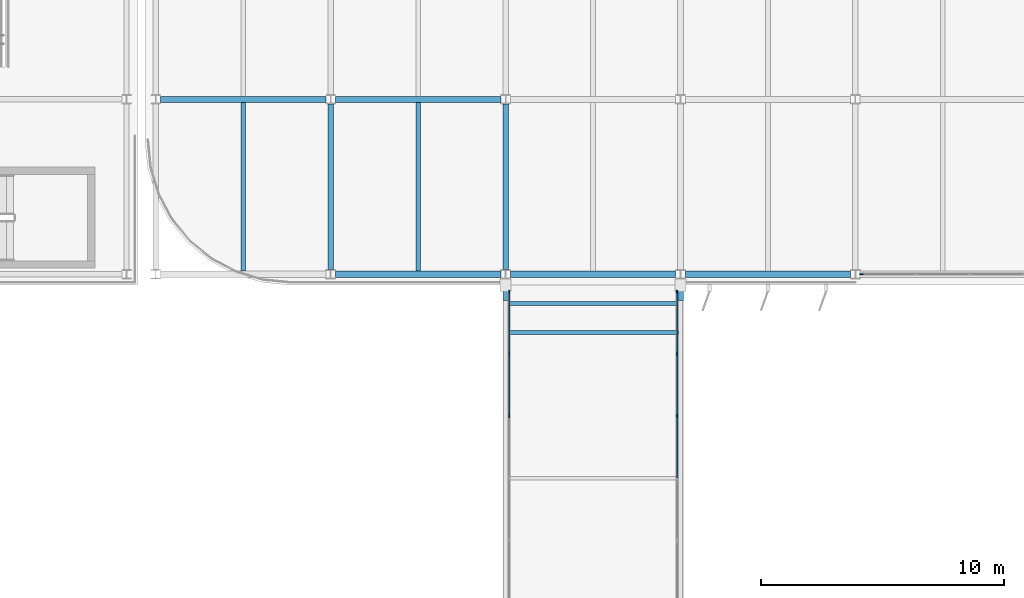
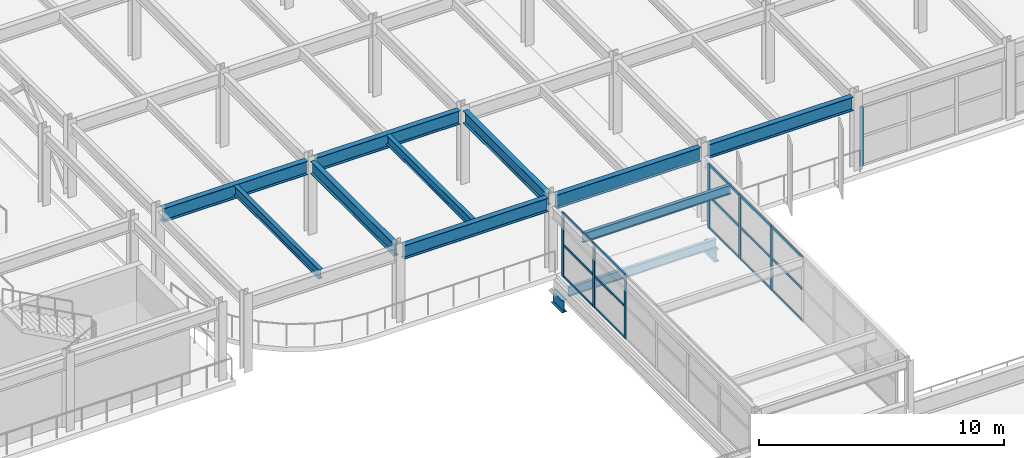
# One storey, part 23 of 93: 22 members, 13 beams, 3 elements without a shape of their own.
"""IFC4 building model written with IfcOpenShell, lengths in metres."""

from ifc_helpers import new_model, si_unit, direction, frame, origin, origin_2d, place, context, subcontext, project, spatial, rectangle, i_section, extrude, material, material_profile, profile_set, type_object, element, aggregate, save


model = new_model("IFC4")

# Units and contexts
model_context = context("Model", 3, precision=1e-05, world=origin(), true_north=direction((0.0, 1.0)))
body_context = subcontext(model_context, "Body", "Model", "MODEL_VIEW")
ifc_project = project(units=[si_unit("LENGTHUNIT", "METRE"), si_unit("AREAUNIT", "SQUARE_METRE"), si_unit("VOLUMEUNIT", "CUBIC_METRE"), si_unit("PLANEANGLEUNIT", "RADIAN"), si_unit("MASSUNIT", "GRAM", prefix="KILO")], contexts=[model_context])

# Site, building, storey
site_placement = place(None, origin())
site = spatial("IfcSite", under=ifc_project, at=site_placement, CompositionType="ELEMENT")
building_placement = place(site_placement, origin())
building = spatial("IfcBuilding", under=site, at=building_placement, Name="Vaelcorin Mobility Hub", CompositionType="ELEMENT")
storey_placement = place(building_placement, frame((0.0, 0.0, 5.39990234375)))
storey = spatial("IfcBuildingStorey", under=building, at=storey_placement, Name="L01", CompositionType="ELEMENT", Elevation=5.39990234375)

# Beams
ifc_material_1 = material(Name="Steel ASTM A992 Grade 50", Category="steel")
ifc_material_profile_1 = material_profile(ifc_material_1, i_section(OverallWidth=0.152099609375, OverallDepth=0.455078125, WebThickness=0.008056640625, FlangeThickness=0.01318359375, FilletRadius=0.012939453125, at=origin_2d()), Name="W18X40")
ifc_profile_set_1 = profile_set([ifc_material_profile_1], Name="Steel ASTM A992 Grade 50")
beam_type_1 = type_object("IfcBeamType", Name="BM-W18X40", PredefinedType="JOIST", material=ifc_profile_set_1)
beam_1_placement = place(storey_placement, frame((50.511962890625, 75.60009765625, -0.447998046875), z_axis=(1.0, 0.0, 0.0), x_axis=(0.0, 1.0, 0.0)))
element("IfcBeam", 1, at=beam_1_placement, inside=storey, type_object=beam_type_1, Name="Link Bridge Floor Cross Beam LB1-BX-3", PredefinedType="JOIST", context=body_context, shape_type="SweptSolid", body=[
    extrude(i_section(OverallWidth=0.152099609375, OverallDepth=0.455078125, WebThickness=0.008056640625, FlangeThickness=0.01318359375, FilletRadius=0.012939453125, at=origin_2d()), origin(), (0.0, 0.0, 1.0), 6.97607421875),
])
beam_2_placement = place(storey_placement, frame((50.48095703125, 74.39990234375, 2.97216796875), z_axis=(1.0, 0.0, 0.0), x_axis=(0.0, 1.0, 0.0)))
element("IfcBeam", 2, at=beam_2_placement, inside=storey, type_object=beam_type_1, Name="L01 Beam LB1-RFX-3", PredefinedType="JOIST", context=body_context, shape_type="SweptSolid", body=[
    extrude(i_section(OverallWidth=0.152099609375, OverallDepth=0.455078125, WebThickness=0.008056640625, FlangeThickness=0.01318359375, FilletRadius=0.012939453125, at=origin_2d()), origin(), (0.0, 0.0, 1.0), 7.0380859375),
])
ifc_material_profile_2 = material_profile(ifc_material_1, i_section(OverallWidth=0.19189453125, OverallDepth=0.4619140625, WebThickness=0.010498046875, FlangeThickness=0.017578125, FilletRadius=0.012939453125, at=origin_2d()), Name="W18X60")
ifc_profile_set_2 = profile_set([ifc_material_profile_2], Name="Steel ASTM A992 Grade 50")
beam_type_2 = type_object("IfcBeamType", Name="BM-W18X60", PredefinedType="JOIST", material=ifc_profile_set_2)
for number, where, z_axis, x_axis, name in (
    (3, (39.60009765625, 76.925048828125, 3.439208984375), (0.0, 1.0, 0.0), (-1.0, 0.0, 0.0), "L01 Beam V4-L01-J-01-01-1"),
    (4, (46.800048828125, 76.925048828125, 3.439208984375), (0.0, 1.0, 0.0), (-1.0, 0.0, 0.0), "L01 Beam V4-L01-J-02-01-1"),
):
    element("IfcBeam", number, at=place(storey_placement, frame(where, z_axis=z_axis, x_axis=x_axis)), inside=storey, type_object=beam_type_2, Name=name, PredefinedType="JOIST", context=body_context, shape_type="SweptSolid", body=[
        extrude(i_section(OverallWidth=0.19189453125, OverallDepth=0.4619140625, WebThickness=0.010498046875, FlangeThickness=0.017578125, FilletRadius=0.012939453125, at=origin_2d()), origin(), (0.0, 0.0, 1.0), 6.949951171875),
    ])
ifc_material_profile_3 = material_profile(ifc_material_1, i_section(OverallWidth=0.22900390625, OverallDepth=0.612060546875, WebThickness=0.011962890625, FlangeThickness=0.01953125, FilletRadius=0.014892578125, at=origin_2d()), Name="W24X84")
ifc_profile_set_3 = profile_set([ifc_material_profile_3], Name="Steel ASTM A992 Grade 50")
beam_type_3 = type_object("IfcBeamType", Name="BM-W24X84", PredefinedType="BEAM", material=ifc_profile_set_3)
for number, where, z_axis, x_axis, name in (
    (5, (43.199951171875, 76.988037109375, 3.364013671875), (0.0, 1.0, 0.0), (-1.0, 0.0, 0.0), "L01 Beam V4-L01-GY-02-01"),
    (6, (50.39990234375, 76.988037109375, 3.364013671875), (0.0, 1.0, 0.0), (-1.0, 0.0, 0.0), "L01 Beam V4-L01-GY-03-01"),
):
    element("IfcBeam", number, at=place(storey_placement, frame(where, z_axis=z_axis, x_axis=x_axis)), inside=storey, type_object=beam_type_3, Name=name, PredefinedType="BEAM", context=body_context, shape_type="SweptSolid", body=[
        extrude(i_section(OverallWidth=0.22900390625, OverallDepth=0.612060546875, WebThickness=0.011962890625, FlangeThickness=0.01953125, FilletRadius=0.014892578125, at=origin_2d()), origin(), (0.0, 0.0, 1.0), 6.81689453125),
    ])
for number, where, z_axis, x_axis, name in (
    (7, (50.39990234375, 76.610107421875, -1.218017578125), (0.0, -1.0, 0.0), (1.0, 0.0, 0.0), "Link Bridge 900mm Bearing Seat Corbel LB1-W"),
    (8, (57.60009765625, 76.610107421875, -1.218017578125), (0.0, -1.0, 0.0), (1.0, 0.0, 0.0), "Link Bridge 900mm Bearing Seat Corbel LB1-E"),
):
    element("IfcBeam", number, at=place(storey_placement, frame(where, z_axis=z_axis, x_axis=x_axis)), inside=storey, type_object=beam_type_3, Name=name, PredefinedType="BEAM", context=body_context, shape_type="SweptSolid", body=[
        extrude(i_section(OverallWidth=0.22900390625, OverallDepth=0.612060546875, WebThickness=0.011962890625, FlangeThickness=0.01953125, FilletRadius=0.014892578125, at=origin_2d()), origin(), (0.0, 0.0, 1.0), 0.900146484375),
    ])
ifc_material_profile_4 = material_profile(ifc_material_1, i_section(OverallWidth=0.25390625, OverallDepth=0.68310546875, WebThickness=0.012451171875, FlangeThickness=0.018798828125, FilletRadius=0.01611328125, at=origin_2d()), Name="W27X94")
ifc_profile_set_4 = profile_set([ifc_material_profile_4], Name="Steel ASTM A992 Grade 50")
beam_type_4 = type_object("IfcBeamType", Name="BM-W27X94", PredefinedType="BEAM", material=ifc_profile_set_4)
for number, where, z_axis, x_axis, name in (
    (9, (43.39599609375, 76.800048828125, 3.328125), (1.0, 0.0, 0.0), (0.0, 1.0, 0.0), "L01 Beam V4-L01-GX-01-02"),
    (10, (50.595947265625, 76.800048828125, 3.328125), (1.0, 0.0, 0.0), (0.0, 1.0, 0.0), "L01 Beam V4-L01-GX-01-03"),
    (11, (57.7958984375, 76.800048828125, 3.328125), (1.0, 0.0, 0.0), (0.0, 1.0, 0.0), "L01 Beam V4-L01-GX-01-04"),
):
    element("IfcBeam", number, at=place(storey_placement, frame(where, z_axis=z_axis, x_axis=x_axis)), inside=storey, type_object=beam_type_4, Name=name, PredefinedType="BEAM", context=body_context, shape_type="SweptSolid", body=[
        extrude(i_section(OverallWidth=0.25390625, OverallDepth=0.68310546875, WebThickness=0.012451171875, FlangeThickness=0.018798828125, FilletRadius=0.01611328125, at=origin_2d()), origin(), (0.0, 0.0, 1.0), 6.80810546875),
    ])
beam_3_placement = place(storey_placement, frame((36.197998046875, 84.0, 3.328125), z_axis=(1.0, 0.0, 0.0), x_axis=(0.0, 1.0, 0.0)))
element("IfcBeam", 12, at=beam_3_placement, inside=storey, type_object=beam_type_4, Name="L01 Beam V4-L01-GX-02-01", PredefinedType="BEAM", context=body_context, shape_type="SweptSolid", body=[
    extrude(i_section(OverallWidth=0.25390625, OverallDepth=0.68310546875, WebThickness=0.012451171875, FlangeThickness=0.018798828125, FilletRadius=0.01611328125, at=origin_2d()), origin(), (0.0, 0.0, 1.0), 6.804931640625),
])
beam_4_placement = place(storey_placement, frame((43.39794921875, 84.0, 3.328125), z_axis=(1.0, 0.0, 0.0), x_axis=(0.0, 1.0, 0.0)))
element("IfcBeam", 13, at=beam_4_placement, inside=storey, type_object=beam_type_4, Name="L01 Beam V4-L01-GX-02-02", PredefinedType="BEAM", context=body_context, shape_type="SweptSolid", body=[
    extrude(i_section(OverallWidth=0.25390625, OverallDepth=0.68310546875, WebThickness=0.012451171875, FlangeThickness=0.018798828125, FilletRadius=0.01611328125, at=origin_2d()), origin(), (0.0, 0.0, 1.0), 6.803955078125),
])

# Curtain wall, member
ifc_material_2 = material(Name="Anodised aluminium 6063-T6", Category="aluminium")
curtain_wall_type_1 = type_object("IfcCurtainWallType", Name="CW-MOB-A", PredefinedType="NOTDEFINED", material=ifc_material_2)
curtain_wall_1_placement = place(storey_placement, origin())
curtain_wall_1 = element("IfcCurtainWall", 14, at=curtain_wall_1_placement, inside=storey, type_object=curtain_wall_type_1, Name="L01 Curtain Wall CW-V4-L01-S-05", PredefinedType="NOTDEFINED")
ifc_material_profile_5 = material_profile(ifc_material_2, rectangle(XDim=0.06005859375, YDim=0.159912109375, at=origin_2d()), Name="ALU-M60X160")
ifc_profile_set_5 = profile_set([ifc_material_profile_5], Name="Anodised aluminium 6063-T6")
member_type_1 = type_object("IfcMemberType", Name="CW-MULL-160", PredefinedType="MULLION", material=ifc_profile_set_5)
member_1_placement = place(storey_placement, frame((65.050048828125, 76.800048828125, 0.0), z_axis=(0.0, 0.0, 1.0), x_axis=(0.0, -1.0, 0.0)))
member_1 = element("IfcMember", 15, at=member_1_placement, type_object=member_type_1, Name="CW7 mullion 4", PredefinedType="MULLION", context=body_context, shape_type="SweptSolid", body=[
    extrude(rectangle(XDim=0.06005859375, YDim=0.159912109375, at=origin_2d()), origin(), (0.0, 0.0, 1.0), 2.97216796875),
])
aggregate(curtain_wall_1, [member_1])

# Curtain wall, members
curtain_wall_type_2 = type_object("IfcCurtainWallType", Name="CW-BRG-A", PredefinedType="NOTDEFINED", material=ifc_material_2)
curtain_wall_2_placement = place(storey_placement, origin())
curtain_wall_2 = element("IfcCurtainWall", 16, at=curtain_wall_2_placement, inside=storey, type_object=curtain_wall_type_2, Name="L01 Curtain Wall CW-LB1-W", PredefinedType="NOTDEFINED")
member_2_placement = place(storey_placement, frame((50.550048828125, 70.966552734375, 0.0), z_axis=(0.0, 0.0, 1.0), x_axis=(-1.0, 0.0, 0.0)))
member_2 = element("IfcMember", 17, at=member_2_placement, type_object=member_type_1, Name="CW8 mullion 5", PredefinedType="MULLION", context=body_context, shape_type="SweptSolid", body=[
    extrude(rectangle(XDim=0.06005859375, YDim=0.159912109375, at=origin_2d()), origin(), (0.0, 0.0, 1.0), 3.2001953125),
])
member_3_placement = place(storey_placement, frame((50.550048828125, 73.533447265625, 0.0), z_axis=(0.0, 0.0, 1.0), x_axis=(-1.0, 0.0, 0.0)))
member_3 = element("IfcMember", 18, at=member_3_placement, type_object=member_type_1, Name="CW8 mullion 6", PredefinedType="MULLION", context=body_context, shape_type="SweptSolid", body=[
    extrude(rectangle(XDim=0.06005859375, YDim=0.159912109375, at=origin_2d()), origin(), (0.0, 0.0, 1.0), 3.2001953125),
])
member_4_placement = place(storey_placement, frame((50.550048828125, 76.070068359375, 0.0), z_axis=(0.0, 0.0, 1.0), x_axis=(-1.0, 0.0, 0.0)))
member_4 = element("IfcMember", 19, at=member_4_placement, type_object=member_type_1, Name="CW8 mullion 7", PredefinedType="MULLION", context=body_context, shape_type="SweptSolid", body=[
    extrude(rectangle(XDim=0.06005859375, YDim=0.159912109375, at=origin_2d()), origin(), (0.0, 0.0, 1.0), 3.2001953125),
])

curtain_wall_3_placement = place(storey_placement, origin())
curtain_wall_3 = element("IfcCurtainWall", 20, at=curtain_wall_3_placement, inside=storey, type_object=curtain_wall_type_2, Name="L01 Curtain Wall CW-LB1-E", PredefinedType="NOTDEFINED")
member_5_placement = place(storey_placement, frame((57.449951171875, 76.070068359375, 0.0), z_axis=(0.0, 0.0, 1.0), x_axis=(1.0, 0.0, 0.0)))
member_5 = element("IfcMember", 21, at=member_5_placement, type_object=member_type_1, Name="CW8 mullion 1", PredefinedType="MULLION", context=body_context, shape_type="SweptSolid", body=[
    extrude(rectangle(XDim=0.06005859375, YDim=0.159912109375, at=origin_2d()), origin(), (0.0, 0.0, 1.0), 3.2001953125),
])
member_6_placement = place(storey_placement, frame((57.449951171875, 73.533447265625, 0.0), z_axis=(0.0, 0.0, 1.0), x_axis=(1.0, 0.0, 0.0)))
member_6 = element("IfcMember", 22, at=member_6_placement, type_object=member_type_1, Name="CW8 mullion 2", PredefinedType="MULLION", context=body_context, shape_type="SweptSolid", body=[
    extrude(rectangle(XDim=0.06005859375, YDim=0.159912109375, at=origin_2d()), origin(), (0.0, 0.0, 1.0), 3.2001953125),
])
member_7_placement = place(storey_placement, frame((57.449951171875, 70.966552734375, 0.0), z_axis=(0.0, 0.0, 1.0), x_axis=(1.0, 0.0, 0.0)))
member_7 = element("IfcMember", 23, at=member_7_placement, type_object=member_type_1, Name="CW8 mullion 3", PredefinedType="MULLION", context=body_context, shape_type="SweptSolid", body=[
    extrude(rectangle(XDim=0.06005859375, YDim=0.159912109375, at=origin_2d()), origin(), (0.0, 0.0, 1.0), 3.2001953125),
])

# Member
ifc_material_profile_6 = material_profile(ifc_material_2, rectangle(XDim=0.06005859375, YDim=0.1201171875, at=origin_2d()), Name="ALU-T60X120")
ifc_profile_set_6 = profile_set([ifc_material_profile_6], Name="Anodised aluminium 6063-T6")
member_type_2 = type_object("IfcMemberType", Name="CW-TRAN-140", PredefinedType="USERDEFINED", material=ifc_profile_set_6)
member_8_placement = place(storey_placement, frame((50.550048828125, 70.99658203125, 0.030029296875), z_axis=(0.0, 1.0, 0.0), x_axis=(-1.0, 0.0, 0.0)))
member_8 = element("IfcMember", 24, at=member_8_placement, type_object=member_type_2, Name="CW8 transom 5.1", ObjectType="TRANSOM", PredefinedType="USERDEFINED", context=body_context, shape_type="SweptSolid", body=[
    extrude(rectangle(XDim=0.06005859375, YDim=0.1201171875, at=origin_2d()), origin(), (0.0, 0.0, 1.0), 2.5068359375),
])

member_9_placement = place(storey_placement, frame((50.550048828125, 70.99658203125, 1.60009765625), z_axis=(0.0, 1.0, 0.0), x_axis=(-1.0, 0.0, 0.0)))
member_9 = element("IfcMember", 25, at=member_9_placement, type_object=member_type_2, Name="CW8 transom 5.2", ObjectType="TRANSOM", PredefinedType="USERDEFINED", context=body_context, shape_type="SweptSolid", body=[
    extrude(rectangle(XDim=0.06005859375, YDim=0.1201171875, at=origin_2d()), origin(), (0.0, 0.0, 1.0), 2.5068359375),
])

member_10_placement = place(storey_placement, frame((50.550048828125, 70.99658203125, 3.170166015625), z_axis=(0.0, 1.0, 0.0), x_axis=(-1.0, 0.0, 0.0)))
member_10 = element("IfcMember", 26, at=member_10_placement, type_object=member_type_2, Name="CW8 transom 5.3", ObjectType="TRANSOM", PredefinedType="USERDEFINED", context=body_context, shape_type="SweptSolid", body=[
    extrude(rectangle(XDim=0.06005859375, YDim=0.1201171875, at=origin_2d()), origin(), (0.0, 0.0, 1.0), 2.5068359375),
])

member_11_placement = place(storey_placement, frame((50.550048828125, 73.563232421875, 0.030029296875), z_axis=(0.0, 1.0, 0.0), x_axis=(-1.0, 0.0, 0.0)))
member_11 = element("IfcMember", 27, at=member_11_placement, type_object=member_type_2, Name="CW8 transom 6.1", ObjectType="TRANSOM", PredefinedType="USERDEFINED", context=body_context, shape_type="SweptSolid", body=[
    extrude(rectangle(XDim=0.06005859375, YDim=0.1201171875, at=origin_2d()), origin(), (0.0, 0.0, 1.0), 2.476806640625),
])

member_12_placement = place(storey_placement, frame((50.550048828125, 73.563232421875, 1.60009765625), z_axis=(0.0, 1.0, 0.0), x_axis=(-1.0, 0.0, 0.0)))
member_12 = element("IfcMember", 28, at=member_12_placement, type_object=member_type_2, Name="CW8 transom 6.2", ObjectType="TRANSOM", PredefinedType="USERDEFINED", context=body_context, shape_type="SweptSolid", body=[
    extrude(rectangle(XDim=0.06005859375, YDim=0.1201171875, at=origin_2d()), origin(), (0.0, 0.0, 1.0), 2.476806640625),
])

member_13_placement = place(storey_placement, frame((50.550048828125, 73.563232421875, 3.170166015625), z_axis=(0.0, 1.0, 0.0), x_axis=(-1.0, 0.0, 0.0)))
member_13 = element("IfcMember", 29, at=member_13_placement, type_object=member_type_2, Name="CW8 transom 6.3", ObjectType="TRANSOM", PredefinedType="USERDEFINED", context=body_context, shape_type="SweptSolid", body=[
    extrude(rectangle(XDim=0.06005859375, YDim=0.1201171875, at=origin_2d()), origin(), (0.0, 0.0, 1.0), 2.476806640625),
])

aggregate(curtain_wall_2, [member_2, member_3, member_4, member_8, member_9, member_10, member_11, member_12, member_13])

member_14_placement = place(storey_placement, frame((57.449951171875, 76.0400390625, 0.030029296875), z_axis=(0.0, -1.0, 0.0), x_axis=(1.0, 0.0, 0.0)))
member_14 = element("IfcMember", 30, at=member_14_placement, type_object=member_type_2, Name="CW8 transom 1.1", ObjectType="TRANSOM", PredefinedType="USERDEFINED", context=body_context, shape_type="SweptSolid", body=[
    extrude(rectangle(XDim=0.06005859375, YDim=0.1201171875, at=origin_2d()), origin(), (0.0, 0.0, 1.0), 2.476806640625),
])

member_15_placement = place(storey_placement, frame((57.449951171875, 76.0400390625, 1.60009765625), z_axis=(0.0, -1.0, 0.0), x_axis=(1.0, 0.0, 0.0)))
member_15 = element("IfcMember", 31, at=member_15_placement, type_object=member_type_2, Name="CW8 transom 1.2", ObjectType="TRANSOM", PredefinedType="USERDEFINED", context=body_context, shape_type="SweptSolid", body=[
    extrude(rectangle(XDim=0.06005859375, YDim=0.1201171875, at=origin_2d()), origin(), (0.0, 0.0, 1.0), 2.476806640625),
])

member_16_placement = place(storey_placement, frame((57.449951171875, 76.0400390625, 3.170166015625), z_axis=(0.0, -1.0, 0.0), x_axis=(1.0, 0.0, 0.0)))
member_16 = element("IfcMember", 32, at=member_16_placement, type_object=member_type_2, Name="CW8 transom 1.3", ObjectType="TRANSOM", PredefinedType="USERDEFINED", context=body_context, shape_type="SweptSolid", body=[
    extrude(rectangle(XDim=0.06005859375, YDim=0.1201171875, at=origin_2d()), origin(), (0.0, 0.0, 1.0), 2.476806640625),
])

member_17_placement = place(storey_placement, frame((57.449951171875, 73.50341796875, 0.030029296875), z_axis=(0.0, -1.0, 0.0), x_axis=(1.0, 0.0, 0.0)))
member_17 = element("IfcMember", 33, at=member_17_placement, type_object=member_type_2, Name="CW8 transom 2.1", ObjectType="TRANSOM", PredefinedType="USERDEFINED", context=body_context, shape_type="SweptSolid", body=[
    extrude(rectangle(XDim=0.06005859375, YDim=0.1201171875, at=origin_2d()), origin(), (0.0, 0.0, 1.0), 2.5068359375),
])

member_18_placement = place(storey_placement, frame((57.449951171875, 73.50341796875, 1.60009765625), z_axis=(0.0, -1.0, 0.0), x_axis=(1.0, 0.0, 0.0)))
member_18 = element("IfcMember", 34, at=member_18_placement, type_object=member_type_2, Name="CW8 transom 2.2", ObjectType="TRANSOM", PredefinedType="USERDEFINED", context=body_context, shape_type="SweptSolid", body=[
    extrude(rectangle(XDim=0.06005859375, YDim=0.1201171875, at=origin_2d()), origin(), (0.0, 0.0, 1.0), 2.5068359375),
])

member_19_placement = place(storey_placement, frame((57.449951171875, 73.50341796875, 3.170166015625), z_axis=(0.0, -1.0, 0.0), x_axis=(1.0, 0.0, 0.0)))
member_19 = element("IfcMember", 35, at=member_19_placement, type_object=member_type_2, Name="CW8 transom 2.3", ObjectType="TRANSOM", PredefinedType="USERDEFINED", context=body_context, shape_type="SweptSolid", body=[
    extrude(rectangle(XDim=0.06005859375, YDim=0.1201171875, at=origin_2d()), origin(), (0.0, 0.0, 1.0), 2.5068359375),
])

member_20_placement = place(storey_placement, frame((57.449951171875, 70.936767578125, 0.030029296875), z_axis=(0.0, -1.0, 0.0), x_axis=(1.0, 0.0, 0.0)))
member_20 = element("IfcMember", 36, at=member_20_placement, type_object=member_type_2, Name="CW8 transom 3.1", ObjectType="TRANSOM", PredefinedType="USERDEFINED", context=body_context, shape_type="SweptSolid", body=[
    extrude(rectangle(XDim=0.06005859375, YDim=0.1201171875, at=origin_2d()), origin(), (0.0, 0.0, 1.0), 2.5068359375),
])

member_21_placement = place(storey_placement, frame((57.449951171875, 70.936767578125, 1.60009765625), z_axis=(0.0, -1.0, 0.0), x_axis=(1.0, 0.0, 0.0)))
member_21 = element("IfcMember", 37, at=member_21_placement, type_object=member_type_2, Name="CW8 transom 3.2", ObjectType="TRANSOM", PredefinedType="USERDEFINED", context=body_context, shape_type="SweptSolid", body=[
    extrude(rectangle(XDim=0.06005859375, YDim=0.1201171875, at=origin_2d()), origin(), (0.0, 0.0, 1.0), 2.5068359375),
])

member_22_placement = place(storey_placement, frame((57.449951171875, 70.936767578125, 3.170166015625), z_axis=(0.0, -1.0, 0.0), x_axis=(1.0, 0.0, 0.0)))
member_22 = element("IfcMember", 38, at=member_22_placement, type_object=member_type_2, Name="CW8 transom 3.3", ObjectType="TRANSOM", PredefinedType="USERDEFINED", context=body_context, shape_type="SweptSolid", body=[
    extrude(rectangle(XDim=0.06005859375, YDim=0.1201171875, at=origin_2d()), origin(), (0.0, 0.0, 1.0), 2.5068359375),
])

aggregate(curtain_wall_3, [member_5, member_6, member_7, member_14, member_15, member_16, member_17, member_18, member_19, member_20, member_21, member_22])

save(model, "model.ifc")
